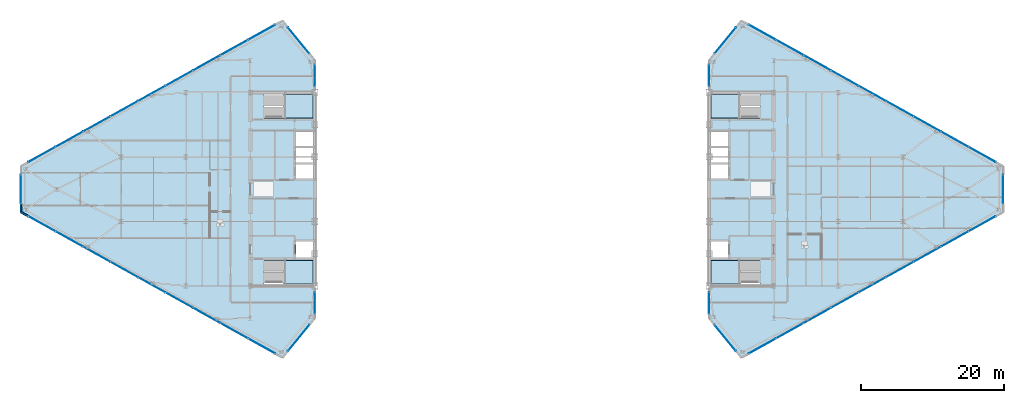
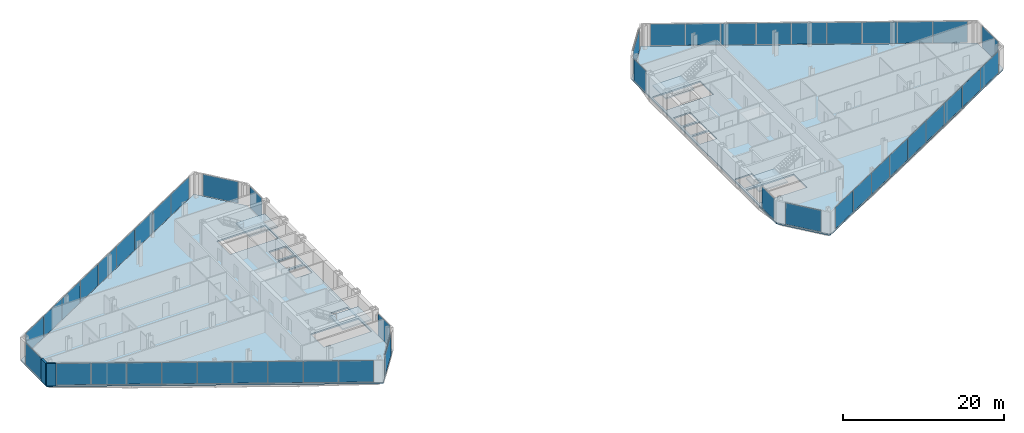
# One storey, part 18 of 25: 46 plates, 6 slabs, 2 walls, 18 elements without a shape of their own.
"""IFC4 building model written with IfcOpenShell, lengths in metres."""

from ifc_helpers import new_model, si_unit, direction, frame, frame_2d, origin, origin_2d, place, context, subcontext, project, spatial, polyline, rectangle, outline, extrude, source, transform, mapped, material, layer, layer_set, type_object, type_shapes, element, aggregate, save


model = new_model("IFC4")

# Units and contexts
model_context = context("Model", 3, precision=1e-05, world=origin(), true_north=direction((0.0, 1.0)))
body_context = subcontext(model_context, "Body", "Model", "MODEL_VIEW")
ifc_project = project(units=[si_unit("LENGTHUNIT", "METRE"), si_unit("AREAUNIT", "SQUARE_METRE"), si_unit("VOLUMEUNIT", "CUBIC_METRE"), si_unit("PLANEANGLEUNIT", "RADIAN"), si_unit("MASSUNIT", "GRAM", prefix="KILO")], contexts=[model_context])

# Site, building, storey
site_placement = place(None, origin())
site = spatial("IfcSite", under=ifc_project, at=site_placement, CompositionType="ELEMENT")
building_placement = place(site_placement, origin())
building = spatial("IfcBuilding", under=site, at=building_placement, Name="Seokmaru Belvedere", CompositionType="ELEMENT")
storey_placement = place(building_placement, frame((0.0, 0.0, 185.10009765625)))
storey = spatial("IfcBuildingStorey", under=building, at=storey_placement, Name="L49", CompositionType="ELEMENT", Elevation=185.10009765625)

# Stair, slab
ifc_material_1 = material(Name="Concrete C40 (40 MPa)", Category="concrete")
stair_type = type_object("IfcStairType", Name="Typical Tower Core Dog-Leg Stair 3600", PredefinedType="TWO_STRAIGHT_RUN_STAIR", material=ifc_material_1)
stair_1_placement = place(storey_placement, origin())
stair_1 = element("IfcStair", 1, at=stair_1_placement, inside=storey, type_object=stair_type, Name="L49 Special Escape Stair ST-W1", PredefinedType="TWO_STRAIGHT_RUN_STAIR")
ifc_layer_1 = layer(ifc_material_1, 0.199951171875)
ifc_layer_set_1 = layer_set([ifc_layer_1], Name="Concrete C40 (40 MPa)")
slab_type_1 = type_object("IfcSlabType", Name="Reinforced Concrete Stair Landing Slab 200", PredefinedType="LANDING", material=ifc_layer_set_1)
slab_1_placement = place(storey_placement, frame((0.0, 0.0, 1.599853515625)))
slab_1 = element("IfcSlab", 2, at=slab_1_placement, type_object=slab_type_1, Name="ST-W1 landing 1", PredefinedType="LANDING", context=body_context, shape_type="SweptSolid", body=[
    extrude(outline(polyline([(-31.8798828125, -13.239990234375), (-27.760009765625, -13.239990234375), (-27.760009765625, -9.949951171875), (-31.8798828125, -9.949951171875), (-31.8798828125, -13.239990234375)])), origin(), (0.0, 0.0, 1.0), 0.199951171875),
])
aggregate(stair_1, [slab_1])

stair_2_placement = place(storey_placement, origin())
stair_2 = element("IfcStair", 3, at=stair_2_placement, inside=storey, type_object=stair_type, Name="L49 Special Escape Stair ST-W2", PredefinedType="TWO_STRAIGHT_RUN_STAIR")
slab_2_placement = place(storey_placement, frame((0.0, 0.0, 1.599853515625)))
slab_2 = element("IfcSlab", 4, at=slab_2_placement, type_object=slab_type_1, Name="ST-W2 landing 1", PredefinedType="LANDING", context=body_context, shape_type="SweptSolid", body=[
    extrude(outline(polyline([(-31.8798828125, 9.949951171875), (-27.760009765625, 9.949951171875), (-27.760009765625, 13.239990234375), (-31.8798828125, 13.239990234375), (-31.8798828125, 9.949951171875)])), origin(), (0.0, 0.0, 1.0), 0.199951171875),
])
aggregate(stair_2, [slab_2])

stair_3_placement = place(storey_placement, origin())
stair_3 = element("IfcStair", 5, at=stair_3_placement, inside=storey, type_object=stair_type, Name="L49 Special Escape Stair ST-E1", PredefinedType="TWO_STRAIGHT_RUN_STAIR")
slab_3_placement = place(storey_placement, frame((0.0, 0.0, 1.599853515625)))
slab_3 = element("IfcSlab", 6, at=slab_3_placement, type_object=slab_type_1, Name="ST-E1 landing 1", PredefinedType="LANDING", context=body_context, shape_type="SweptSolid", body=[
    extrude(outline(polyline([(27.760009765625, -13.239990234375), (31.8798828125, -13.239990234375), (31.8798828125, -9.949951171875), (27.760009765625, -9.949951171875), (27.760009765625, -13.239990234375)])), origin(), (0.0, 0.0, 1.0), 0.199951171875),
])
aggregate(stair_3, [slab_3])

stair_4_placement = place(storey_placement, origin())
stair_4 = element("IfcStair", 7, at=stair_4_placement, inside=storey, type_object=stair_type, Name="L49 Special Escape Stair ST-E2", PredefinedType="TWO_STRAIGHT_RUN_STAIR")
slab_4_placement = place(storey_placement, frame((0.0, 0.0, 1.599853515625)))
slab_4 = element("IfcSlab", 8, at=slab_4_placement, type_object=slab_type_1, Name="ST-E2 landing 1", PredefinedType="LANDING", context=body_context, shape_type="SweptSolid", body=[
    extrude(outline(polyline([(27.760009765625, 9.949951171875), (31.8798828125, 9.949951171875), (31.8798828125, 13.239990234375), (27.760009765625, 13.239990234375), (27.760009765625, 9.949951171875)])), origin(), (0.0, 0.0, 1.0), 0.199951171875),
])
aggregate(stair_4, [slab_4])

# Slabs
ifc_layer_2 = layer(ifc_material_1, 0.219970703125)
ifc_layer_set_2 = layer_set([ifc_layer_2], Name="Concrete C40 (40 MPa)")
slab_type_2 = type_object("IfcSlabType", Name="Typical Tower Composite Floor Slab 220", PredefinedType="FLOOR", material=ifc_layer_set_2)
slab_5_placement = place(storey_placement, frame((0.0, 0.0, -0.22021484375)))
element("IfcSlab", 9, at=slab_5_placement, inside=storey, type_object=slab_type_2, Name="L49 West Leg Floor Slab", PredefinedType="FLOOR", context=body_context, shape_type="SweptSolid", body=[
    extrude(outline(polyline([(-27.5, -18.0), (-27.5, 18.0), (-32.0, 23.5), (-68.5, 3.199951171875), (-68.5, -3.199951171875), (-32.0, -23.5), (-27.5, -18.0)]), holes=[polyline([(-34.60009765625, -13.25), (-27.75, -13.25), (-27.75, -9.949951171875), (-34.60009765625, -9.949951171875), (-34.60009765625, -13.25)]), polyline([(-34.60009765625, 9.949951171875), (-27.75, 9.949951171875), (-27.75, 13.25), (-34.60009765625, 13.25), (-34.60009765625, 9.949951171875)]), polyline([(-30.14990234375, -9.550048828125), (-27.75, -9.550048828125), (-27.75, -7.25), (-30.14990234375, -7.25), (-30.14990234375, -9.550048828125)]), polyline([(-30.14990234375, 1.449951171875), (-27.75, 1.449951171875), (-27.75, 3.449951171875), (-30.14990234375, 3.449951171875), (-30.14990234375, 1.449951171875)]), polyline([(-30.14990234375, 3.75), (-27.75, 3.75), (-27.75, 5.75), (-30.14990234375, 5.75), (-30.14990234375, 3.75)]), polyline([(-30.14990234375, 6.050048828125), (-27.75, 6.050048828125), (-27.75, 8.050048828125), (-30.14990234375, 8.050048828125), (-30.14990234375, 6.050048828125)])]), origin(), (0.0, 0.0, 1.0), 0.22021484375),
])
slab_6_placement = place(storey_placement, frame((0.0, 0.0, -0.22021484375)))
element("IfcSlab", 10, at=slab_6_placement, inside=storey, type_object=slab_type_2, Name="L49 East Leg Floor Slab", PredefinedType="FLOOR", context=body_context, shape_type="SweptSolid", body=[
    extrude(outline(polyline([(32.0, -23.5), (68.5, -3.199951171875), (68.5, 3.199951171875), (32.0, 23.5), (27.5, 18.0), (27.5, -18.0), (32.0, -23.5)]), holes=[polyline([(27.75, -13.25), (34.60009765625, -13.25), (34.60009765625, -9.949951171875), (27.75, -9.949951171875), (27.75, -13.25)]), polyline([(27.75, 9.949951171875), (34.60009765625, 9.949951171875), (34.60009765625, 13.25), (27.75, 13.25), (27.75, 9.949951171875)]), polyline([(27.75, -9.550048828125), (30.14990234375, -9.550048828125), (30.14990234375, -7.25), (27.75, -7.25), (27.75, -9.550048828125)]), polyline([(27.75, 1.449951171875), (30.14990234375, 1.449951171875), (30.14990234375, 3.449951171875), (27.75, 3.449951171875), (27.75, 1.449951171875)]), polyline([(27.75, 3.75), (30.14990234375, 3.75), (30.14990234375, 5.75), (27.75, 5.75), (27.75, 3.75)]), polyline([(27.75, 6.050048828125), (30.14990234375, 6.050048828125), (30.14990234375, 8.050048828125), (27.75, 8.050048828125), (27.75, 6.050048828125)])]), origin(), (0.0, 0.0, 1.0), 0.22021484375),
])

# Curtain wall, plate
ifc_material_2 = material(Name="Bronze Triple Insulating Glass", Category="glass")
ifc_layer_3 = layer(ifc_material_2, 0.179931640625)
ifc_layer_set_3 = layer_set([ifc_layer_3], Name="Bronze Triple Insulating Glass")
curtain_wall_type = type_object("IfcCurtainWallType", Name="High-Rise Wind-Corner Curtain Wall System CW-5", PredefinedType="NOTDEFINED", material=ifc_layer_set_3)
curtain_wall_1_placement = place(storey_placement, origin())
curtain_wall_1 = element("IfcCurtainWall", 11, at=curtain_wall_1_placement, inside=storey, type_object=curtain_wall_type, Name="L49 Curtain Wall WSP_1", PredefinedType="NOTDEFINED")
ifc_layer_4 = layer(ifc_material_2, 0.035888671875)
ifc_layer_set_4 = layer_set([ifc_layer_4], Name="Bronze Triple Insulating Glass")
plate_type = type_object("IfcPlateType", Name="Bronze Triple Vision Glazing Panel 36", PredefinedType="CURTAIN_PANEL", material=ifc_layer_set_4)
shared_shape_1 = source(origin(), body_context, "Body", "SweptSolid", [
    extrude(rectangle(XDim=2.969970703125, YDim=0.035888671875, at=origin_2d()), origin(), (0.0, 0.0, 1.0), 3.25),
])
plate_1_placement = place(storey_placement, frame((-27.5, -15.8798828125, 0.06494140625), z_axis=(0.0, 0.0, 1.0), x_axis=(0.0, 1.0, 0.0)))
plate_1 = element("IfcPlate", 12, at=plate_1_placement, type_object=plate_type, Name="CW:L49:WSP_1 Glazing Panel 1-1", PredefinedType="CURTAIN_PANEL", context=body_context, shape_type="MappedRepresentation", body=[
    mapped(shared_shape_1, transform((0.0, 0.0, 0.0), scale=1.0)),
])
aggregate(curtain_wall_1, [plate_1])

curtain_wall_2_placement = place(storey_placement, origin())
curtain_wall_2 = element("IfcCurtainWall", 13, at=curtain_wall_2_placement, inside=storey, type_object=curtain_wall_type, Name="L49 Curtain Wall WSP_2", PredefinedType="NOTDEFINED")
plate_2_placement = place(storey_placement, frame((-27.5, 15.8798828125, 0.06494140625), z_axis=(0.0, 0.0, 1.0), x_axis=(0.0, 1.0, 0.0)))
plate_2 = element("IfcPlate", 14, at=plate_2_placement, type_object=plate_type, Name="CW:L49:WSP_2 Glazing Panel 1-1", PredefinedType="CURTAIN_PANEL", context=body_context, shape_type="MappedRepresentation", body=[
    mapped(shared_shape_1, transform((0.0, 0.0, 0.0), scale=1.0)),
])
aggregate(curtain_wall_2, [plate_2])

curtain_wall_3_placement = place(storey_placement, origin())
curtain_wall_3 = element("IfcCurtainWall", 15, at=curtain_wall_3_placement, inside=storey, type_object=curtain_wall_type, Name="L49 Curtain Wall ESP_1", PredefinedType="NOTDEFINED")
plate_3_placement = place(storey_placement, frame((27.5, -15.8798828125, 0.06494140625), z_axis=(0.0, 0.0, 1.0), x_axis=(0.0, -1.0, 0.0)))
plate_3 = element("IfcPlate", 16, at=plate_3_placement, type_object=plate_type, Name="CW:L49:ESP_1 Glazing Panel 1-1", PredefinedType="CURTAIN_PANEL", context=body_context, shape_type="MappedRepresentation", body=[
    mapped(shared_shape_1, transform((0.0, 0.0, 0.0), scale=1.0)),
])
aggregate(curtain_wall_3, [plate_3])

curtain_wall_4_placement = place(storey_placement, origin())
curtain_wall_4 = element("IfcCurtainWall", 17, at=curtain_wall_4_placement, inside=storey, type_object=curtain_wall_type, Name="L49 Curtain Wall ESP_2", PredefinedType="NOTDEFINED")
plate_4_placement = place(storey_placement, frame((27.5, 15.8798828125, 0.06494140625), z_axis=(0.0, 0.0, 1.0), x_axis=(0.0, -1.0, 0.0)))
plate_4 = element("IfcPlate", 18, at=plate_4_placement, type_object=plate_type, Name="CW:L49:ESP_2 Glazing Panel 1-1", PredefinedType="CURTAIN_PANEL", context=body_context, shape_type="MappedRepresentation", body=[
    mapped(shared_shape_1, transform((0.0, 0.0, 0.0), scale=1.0)),
])
aggregate(curtain_wall_4, [plate_4])

curtain_wall_5_placement = place(storey_placement, origin())
curtain_wall_5 = element("IfcCurtainWall", 19, at=curtain_wall_5_placement, inside=storey, type_object=curtain_wall_type, Name="L49 Curtain Wall WF2", PredefinedType="NOTDEFINED")
shared_shape_2 = source(origin(), body_context, "Body", "SweptSolid", [
    extrude(rectangle(XDim=4.67626953125, YDim=0.035888671875, at=origin_2d()), origin(), (0.0, 0.0, 1.0), 3.25),
])
plate_5_placement = place(storey_placement, frame((-29.75, 20.75, 0.06494140625), z_axis=(0.0, 0.0, 1.0), x_axis=(-0.633253907144, 0.773944112379, 0.0)))
plate_5 = element("IfcPlate", 20, at=plate_5_placement, type_object=plate_type, Name="CW:L49:WF2 Glazing Panel 1-1", PredefinedType="CURTAIN_PANEL", context=body_context, shape_type="MappedRepresentation", body=[
    mapped(shared_shape_2, transform((0.0, 0.0, 0.0), scale=1.0)),
])
aggregate(curtain_wall_5, [plate_5])

curtain_wall_6_placement = place(storey_placement, origin())
curtain_wall_6 = element("IfcCurtainWall", 21, at=curtain_wall_6_placement, inside=storey, type_object=curtain_wall_type, Name="L49 Curtain Wall WF6", PredefinedType="NOTDEFINED")
plate_6_placement = place(storey_placement, frame((-29.75, -20.75, 0.06494140625), z_axis=(0.0, 0.0, 1.0), x_axis=(0.633253907144, 0.773944112379, 0.0)))
plate_6 = element("IfcPlate", 22, at=plate_6_placement, type_object=plate_type, Name="CW:L49:WF6 Glazing Panel 1-1", PredefinedType="CURTAIN_PANEL", context=body_context, shape_type="MappedRepresentation", body=[
    mapped(shared_shape_2, transform((0.0, 0.0, 0.0), scale=1.0)),
])
aggregate(curtain_wall_6, [plate_6])

curtain_wall_7_placement = place(storey_placement, origin())
curtain_wall_7 = element("IfcCurtainWall", 23, at=curtain_wall_7_placement, inside=storey, type_object=curtain_wall_type, Name="L49 Curtain Wall EF4", PredefinedType="NOTDEFINED")
plate_7_placement = place(storey_placement, frame((29.75, 20.75, 0.06494140625), z_axis=(0.0, 0.0, 1.0), x_axis=(-0.633253907144, -0.773944112379, 0.0)))
plate_7 = element("IfcPlate", 24, at=plate_7_placement, type_object=plate_type, Name="CW:L49:EF4 Glazing Panel 1-1", PredefinedType="CURTAIN_PANEL", context=body_context, shape_type="MappedRepresentation", body=[
    mapped(shared_shape_2, transform((0.0, 0.0, 0.0), scale=1.0)),
])
aggregate(curtain_wall_7, [plate_7])

curtain_wall_8_placement = place(storey_placement, origin())
curtain_wall_8 = element("IfcCurtainWall", 25, at=curtain_wall_8_placement, inside=storey, type_object=curtain_wall_type, Name="L49 Curtain Wall EF6", PredefinedType="NOTDEFINED")
plate_8_placement = place(storey_placement, frame((29.75, -20.75, 0.06494140625), z_axis=(0.0, 0.0, 1.0), x_axis=(0.633253907144, -0.773944112379, 0.0)))
plate_8 = element("IfcPlate", 26, at=plate_8_placement, type_object=plate_type, Name="CW:L49:EF6 Glazing Panel 1-1", PredefinedType="CURTAIN_PANEL", context=body_context, shape_type="MappedRepresentation", body=[
    mapped(shared_shape_2, transform((0.0, 0.0, 0.0), scale=1.0)),
])
aggregate(curtain_wall_8, [plate_8])

# Curtain wall, plates
curtain_wall_9_placement = place(storey_placement, origin())
curtain_wall_9 = element("IfcCurtainWall", 27, at=curtain_wall_9_placement, inside=storey, type_object=curtain_wall_type, Name="L49 Curtain Wall WF3", PredefinedType="NOTDEFINED")
shared_shape_3 = source(origin(), body_context, "Body", "SweptSolid", [
    extrude(rectangle(XDim=4.28759765625, YDim=0.035888671875, at=origin_2d()), origin(), (0.0, 0.0, 1.0), 3.25),
])
plate_9_placement = place(storey_placement, frame((-34.935302734375, 21.867431640625, 0.06494140625), z_axis=(0.0, 0.0, 1.0), x_axis=(-0.873932601598, -0.486047125147, 0.0)))
plate_9 = element("IfcPlate", 28, at=plate_9_placement, type_object=plate_type, Name="CW:L49:WF3 Glazing Panel 1-1", PredefinedType="CURTAIN_PANEL", context=body_context, shape_type="MappedRepresentation", body=[
    mapped(shared_shape_3, transform((0.0, 0.0, 0.0), scale=1.0)),
])
plate_10_placement = place(storey_placement, frame((-65.564697265625, 4.83251953125, 0.06494140625), z_axis=(0.0, 0.0, 1.0), x_axis=(-0.873932601598, -0.486047125147, 0.0)))
plate_10 = element("IfcPlate", 29, at=plate_10_placement, type_object=plate_type, Name="CW:L49:WF3 Glazing Panel 9-1", PredefinedType="CURTAIN_PANEL", context=body_context, shape_type="MappedRepresentation", body=[
    mapped(shared_shape_3, transform((0.0, 0.0, 0.0), scale=1.0)),
])

curtain_wall_10_placement = place(storey_placement, origin())
curtain_wall_10 = element("IfcCurtainWall", 30, at=curtain_wall_10_placement, inside=storey, type_object=curtain_wall_type, Name="L49 Curtain Wall WF5", PredefinedType="NOTDEFINED")
plate_11_placement = place(storey_placement, frame((-65.564697265625, -4.83251953125, 0.06494140625), z_axis=(0.0, 0.0, 1.0), x_axis=(0.873932601598, -0.486047125147, 0.0)))
plate_11 = element("IfcPlate", 31, at=plate_11_placement, type_object=plate_type, Name="CW:L49:WF5 Glazing Panel 1-1", PredefinedType="CURTAIN_PANEL", context=body_context, shape_type="MappedRepresentation", body=[
    mapped(shared_shape_3, transform((0.0, 0.0, 0.0), scale=1.0)),
])
plate_12_placement = place(storey_placement, frame((-34.935302734375, -21.867431640625, 0.06494140625), z_axis=(0.0, 0.0, 1.0), x_axis=(0.873932601598, -0.486047125147, 0.0)))
plate_12 = element("IfcPlate", 32, at=plate_12_placement, type_object=plate_type, Name="CW:L49:WF5 Glazing Panel 9-1", PredefinedType="CURTAIN_PANEL", context=body_context, shape_type="MappedRepresentation", body=[
    mapped(shared_shape_3, transform((0.0, 0.0, 0.0), scale=1.0)),
])

curtain_wall_11_placement = place(storey_placement, origin())
curtain_wall_11 = element("IfcCurtainWall", 33, at=curtain_wall_11_placement, inside=storey, type_object=curtain_wall_type, Name="L49 Curtain Wall EF1", PredefinedType="NOTDEFINED")
plate_13_placement = place(storey_placement, frame((34.935302734375, -21.867431640625, 0.06494140625), z_axis=(0.0, 0.0, 1.0), x_axis=(0.873932601598, 0.486047125147, 0.0)))
plate_13 = element("IfcPlate", 34, at=plate_13_placement, type_object=plate_type, Name="CW:L49:EF1 Glazing Panel 1-1", PredefinedType="CURTAIN_PANEL", context=body_context, shape_type="MappedRepresentation", body=[
    mapped(shared_shape_3, transform((0.0, 0.0, 0.0), scale=1.0)),
])
plate_14_placement = place(storey_placement, frame((65.564697265625, -4.83251953125, 0.06494140625), z_axis=(0.0, 0.0, 1.0), x_axis=(0.873932601598, 0.486047125147, 0.0)))
plate_14 = element("IfcPlate", 35, at=plate_14_placement, type_object=plate_type, Name="CW:L49:EF1 Glazing Panel 9-1", PredefinedType="CURTAIN_PANEL", context=body_context, shape_type="MappedRepresentation", body=[
    mapped(shared_shape_3, transform((0.0, 0.0, 0.0), scale=1.0)),
])

curtain_wall_12_placement = place(storey_placement, origin())
curtain_wall_12 = element("IfcCurtainWall", 36, at=curtain_wall_12_placement, inside=storey, type_object=curtain_wall_type, Name="L49 Curtain Wall EF3", PredefinedType="NOTDEFINED")
plate_15_placement = place(storey_placement, frame((65.564697265625, 4.83251953125, 0.06494140625), z_axis=(0.0, 0.0, 1.0), x_axis=(-0.873932601598, 0.486047125147, 0.0)))
plate_15 = element("IfcPlate", 37, at=plate_15_placement, type_object=plate_type, Name="CW:L49:EF3 Glazing Panel 1-1", PredefinedType="CURTAIN_PANEL", context=body_context, shape_type="MappedRepresentation", body=[
    mapped(shared_shape_3, transform((0.0, 0.0, 0.0), scale=1.0)),
])
plate_16_placement = place(storey_placement, frame((34.935302734375, 21.867431640625, 0.06494140625), z_axis=(0.0, 0.0, 1.0), x_axis=(-0.873932601598, 0.486047125147, 0.0)))
plate_16 = element("IfcPlate", 38, at=plate_16_placement, type_object=plate_type, Name="CW:L49:EF3 Glazing Panel 9-1", PredefinedType="CURTAIN_PANEL", context=body_context, shape_type="MappedRepresentation", body=[
    mapped(shared_shape_3, transform((0.0, 0.0, 0.0), scale=1.0)),
])

# Plate
shared_shape_4 = source(origin(), body_context, "Body", "SweptSolid", [
    extrude(rectangle(XDim=4.320068359375, YDim=0.035888671875, at=origin_2d()), origin(), (0.0, 0.0, 1.0), 3.25),
])
plate_17_placement = place(storey_placement, frame((-38.75341796875, 19.743896484375, 0.06494140625), z_axis=(0.0, 0.0, 1.0), x_axis=(-0.873932601598, -0.486047125147, 0.0)))
plate_17 = element("IfcPlate", 39, at=plate_17_placement, type_object=plate_type, Name="CW:L49:WF3 Glazing Panel 2-1", PredefinedType="CURTAIN_PANEL", context=body_context, shape_type="MappedRepresentation", body=[
    mapped(shared_shape_4, transform((0.0, 0.0, 0.0), scale=1.0)),
])

plate_18_placement = place(storey_placement, frame((-42.585693359375, 17.61279296875, 0.06494140625), z_axis=(0.0, 0.0, 1.0), x_axis=(-0.873932601598, -0.486047125147, 0.0)))
plate_18 = element("IfcPlate", 40, at=plate_18_placement, type_object=plate_type, Name="CW:L49:WF3 Glazing Panel 3-1", PredefinedType="CURTAIN_PANEL", context=body_context, shape_type="MappedRepresentation", body=[
    mapped(shared_shape_4, transform((0.0, 0.0, 0.0), scale=1.0)),
])

plate_19_placement = place(storey_placement, frame((-46.417724609375, 15.481201171875, 0.06494140625), z_axis=(0.0, 0.0, 1.0), x_axis=(-0.873932601598, -0.486047125147, 0.0)))
plate_19 = element("IfcPlate", 41, at=plate_19_placement, type_object=plate_type, Name="CW:L49:WF3 Glazing Panel 4-1", PredefinedType="CURTAIN_PANEL", context=body_context, shape_type="MappedRepresentation", body=[
    mapped(shared_shape_4, transform((0.0, 0.0, 0.0), scale=1.0)),
])

plate_20_placement = place(storey_placement, frame((-50.25, 13.35009765625, 0.06494140625), z_axis=(0.0, 0.0, 1.0), x_axis=(-0.873932601598, -0.486047125147, 0.0)))
plate_20 = element("IfcPlate", 42, at=plate_20_placement, type_object=plate_type, Name="CW:L49:WF3 Glazing Panel 5-1", PredefinedType="CURTAIN_PANEL", context=body_context, shape_type="MappedRepresentation", body=[
    mapped(shared_shape_4, transform((0.0, 0.0, 0.0), scale=1.0)),
])

plate_21_placement = place(storey_placement, frame((-54.082275390625, 11.21875, 0.06494140625), z_axis=(0.0, 0.0, 1.0), x_axis=(-0.873932601598, -0.486047125147, 0.0)))
plate_21 = element("IfcPlate", 43, at=plate_21_placement, type_object=plate_type, Name="CW:L49:WF3 Glazing Panel 6-1", PredefinedType="CURTAIN_PANEL", context=body_context, shape_type="MappedRepresentation", body=[
    mapped(shared_shape_4, transform((0.0, 0.0, 0.0), scale=1.0)),
])

plate_22_placement = place(storey_placement, frame((-57.914306640625, 9.08740234375, 0.06494140625), z_axis=(0.0, 0.0, 1.0), x_axis=(-0.873932601598, -0.486047125147, 0.0)))
plate_22 = element("IfcPlate", 44, at=plate_22_placement, type_object=plate_type, Name="CW:L49:WF3 Glazing Panel 7-1", PredefinedType="CURTAIN_PANEL", context=body_context, shape_type="MappedRepresentation", body=[
    mapped(shared_shape_4, transform((0.0, 0.0, 0.0), scale=1.0)),
])

plate_23_placement = place(storey_placement, frame((-61.74658203125, 6.9560546875, 0.06494140625), z_axis=(0.0, 0.0, 1.0), x_axis=(-0.873932601598, -0.486047125147, 0.0)))
plate_23 = element("IfcPlate", 45, at=plate_23_placement, type_object=plate_type, Name="CW:L49:WF3 Glazing Panel 8-1", PredefinedType="CURTAIN_PANEL", context=body_context, shape_type="MappedRepresentation", body=[
    mapped(shared_shape_4, transform((0.0, 0.0, 0.0), scale=1.0)),
])

aggregate(curtain_wall_9, [plate_9, plate_17, plate_18, plate_19, plate_20, plate_21, plate_22, plate_23, plate_10])

plate_24_placement = place(storey_placement, frame((-61.74658203125, -6.9560546875, 0.06494140625), z_axis=(0.0, 0.0, 1.0), x_axis=(0.873932601598, -0.486047125147, 0.0)))
plate_24 = element("IfcPlate", 46, at=plate_24_placement, type_object=plate_type, Name="CW:L49:WF5 Glazing Panel 2-1", PredefinedType="CURTAIN_PANEL", context=body_context, shape_type="MappedRepresentation", body=[
    mapped(shared_shape_4, transform((0.0, 0.0, 0.0), scale=1.0)),
])

plate_25_placement = place(storey_placement, frame((-57.914306640625, -9.08740234375, 0.06494140625), z_axis=(0.0, 0.0, 1.0), x_axis=(0.873932601598, -0.486047125147, 0.0)))
plate_25 = element("IfcPlate", 47, at=plate_25_placement, type_object=plate_type, Name="CW:L49:WF5 Glazing Panel 3-1", PredefinedType="CURTAIN_PANEL", context=body_context, shape_type="MappedRepresentation", body=[
    mapped(shared_shape_4, transform((0.0, 0.0, 0.0), scale=1.0)),
])

plate_26_placement = place(storey_placement, frame((-54.082275390625, -11.21875, 0.06494140625), z_axis=(0.0, 0.0, 1.0), x_axis=(0.873932601598, -0.486047125147, 0.0)))
plate_26 = element("IfcPlate", 48, at=plate_26_placement, type_object=plate_type, Name="CW:L49:WF5 Glazing Panel 4-1", PredefinedType="CURTAIN_PANEL", context=body_context, shape_type="MappedRepresentation", body=[
    mapped(shared_shape_4, transform((0.0, 0.0, 0.0), scale=1.0)),
])

plate_27_placement = place(storey_placement, frame((-50.25, -13.35009765625, 0.06494140625), z_axis=(0.0, 0.0, 1.0), x_axis=(0.873932601598, -0.486047125147, 0.0)))
plate_27 = element("IfcPlate", 49, at=plate_27_placement, type_object=plate_type, Name="CW:L49:WF5 Glazing Panel 5-1", PredefinedType="CURTAIN_PANEL", context=body_context, shape_type="MappedRepresentation", body=[
    mapped(shared_shape_4, transform((0.0, 0.0, 0.0), scale=1.0)),
])

plate_28_placement = place(storey_placement, frame((-46.417724609375, -15.481201171875, 0.06494140625), z_axis=(0.0, 0.0, 1.0), x_axis=(0.873932601598, -0.486047125147, 0.0)))
plate_28 = element("IfcPlate", 50, at=plate_28_placement, type_object=plate_type, Name="CW:L49:WF5 Glazing Panel 6-1", PredefinedType="CURTAIN_PANEL", context=body_context, shape_type="MappedRepresentation", body=[
    mapped(shared_shape_4, transform((0.0, 0.0, 0.0), scale=1.0)),
])

plate_29_placement = place(storey_placement, frame((-42.585693359375, -17.61279296875, 0.06494140625), z_axis=(0.0, 0.0, 1.0), x_axis=(0.873932601598, -0.486047125147, 0.0)))
plate_29 = element("IfcPlate", 51, at=plate_29_placement, type_object=plate_type, Name="CW:L49:WF5 Glazing Panel 7-1", PredefinedType="CURTAIN_PANEL", context=body_context, shape_type="MappedRepresentation", body=[
    mapped(shared_shape_4, transform((0.0, 0.0, 0.0), scale=1.0)),
])

plate_30_placement = place(storey_placement, frame((-38.75341796875, -19.743896484375, 0.06494140625), z_axis=(0.0, 0.0, 1.0), x_axis=(0.873932601598, -0.486047125147, 0.0)))
plate_30 = element("IfcPlate", 52, at=plate_30_placement, type_object=plate_type, Name="CW:L49:WF5 Glazing Panel 8-1", PredefinedType="CURTAIN_PANEL", context=body_context, shape_type="MappedRepresentation", body=[
    mapped(shared_shape_4, transform((0.0, 0.0, 0.0), scale=1.0)),
])

aggregate(curtain_wall_10, [plate_11, plate_24, plate_25, plate_26, plate_27, plate_28, plate_29, plate_30, plate_12])

plate_31_placement = place(storey_placement, frame((38.75341796875, -19.743896484375, 0.06494140625), z_axis=(0.0, 0.0, 1.0), x_axis=(0.873932601598, 0.486047125147, 0.0)))
plate_31 = element("IfcPlate", 53, at=plate_31_placement, type_object=plate_type, Name="CW:L49:EF1 Glazing Panel 2-1", PredefinedType="CURTAIN_PANEL", context=body_context, shape_type="MappedRepresentation", body=[
    mapped(shared_shape_4, transform((0.0, 0.0, 0.0), scale=1.0)),
])

plate_32_placement = place(storey_placement, frame((42.585693359375, -17.61279296875, 0.06494140625), z_axis=(0.0, 0.0, 1.0), x_axis=(0.873932601598, 0.486047125147, 0.0)))
plate_32 = element("IfcPlate", 54, at=plate_32_placement, type_object=plate_type, Name="CW:L49:EF1 Glazing Panel 3-1", PredefinedType="CURTAIN_PANEL", context=body_context, shape_type="MappedRepresentation", body=[
    mapped(shared_shape_4, transform((0.0, 0.0, 0.0), scale=1.0)),
])

plate_33_placement = place(storey_placement, frame((46.417724609375, -15.481201171875, 0.06494140625), z_axis=(0.0, 0.0, 1.0), x_axis=(0.873932601598, 0.486047125147, 0.0)))
plate_33 = element("IfcPlate", 55, at=plate_33_placement, type_object=plate_type, Name="CW:L49:EF1 Glazing Panel 4-1", PredefinedType="CURTAIN_PANEL", context=body_context, shape_type="MappedRepresentation", body=[
    mapped(shared_shape_4, transform((0.0, 0.0, 0.0), scale=1.0)),
])

plate_34_placement = place(storey_placement, frame((50.25, -13.35009765625, 0.06494140625), z_axis=(0.0, 0.0, 1.0), x_axis=(0.873932601598, 0.486047125147, 0.0)))
plate_34 = element("IfcPlate", 56, at=plate_34_placement, type_object=plate_type, Name="CW:L49:EF1 Glazing Panel 5-1", PredefinedType="CURTAIN_PANEL", context=body_context, shape_type="MappedRepresentation", body=[
    mapped(shared_shape_4, transform((0.0, 0.0, 0.0), scale=1.0)),
])

plate_35_placement = place(storey_placement, frame((54.082275390625, -11.21875, 0.06494140625), z_axis=(0.0, 0.0, 1.0), x_axis=(0.873932601598, 0.486047125147, 0.0)))
plate_35 = element("IfcPlate", 57, at=plate_35_placement, type_object=plate_type, Name="CW:L49:EF1 Glazing Panel 6-1", PredefinedType="CURTAIN_PANEL", context=body_context, shape_type="MappedRepresentation", body=[
    mapped(shared_shape_4, transform((0.0, 0.0, 0.0), scale=1.0)),
])

plate_36_placement = place(storey_placement, frame((57.914306640625, -9.08740234375, 0.06494140625), z_axis=(0.0, 0.0, 1.0), x_axis=(0.873932601598, 0.486047125147, 0.0)))
plate_36 = element("IfcPlate", 58, at=plate_36_placement, type_object=plate_type, Name="CW:L49:EF1 Glazing Panel 7-1", PredefinedType="CURTAIN_PANEL", context=body_context, shape_type="MappedRepresentation", body=[
    mapped(shared_shape_4, transform((0.0, 0.0, 0.0), scale=1.0)),
])

plate_37_placement = place(storey_placement, frame((61.74658203125, -6.9560546875, 0.06494140625), z_axis=(0.0, 0.0, 1.0), x_axis=(0.873932601598, 0.486047125147, 0.0)))
plate_37 = element("IfcPlate", 59, at=plate_37_placement, type_object=plate_type, Name="CW:L49:EF1 Glazing Panel 8-1", PredefinedType="CURTAIN_PANEL", context=body_context, shape_type="MappedRepresentation", body=[
    mapped(shared_shape_4, transform((0.0, 0.0, 0.0), scale=1.0)),
])

aggregate(curtain_wall_11, [plate_13, plate_31, plate_32, plate_33, plate_34, plate_35, plate_36, plate_37, plate_14])

plate_38_placement = place(storey_placement, frame((61.74658203125, 6.9560546875, 0.06494140625), z_axis=(0.0, 0.0, 1.0), x_axis=(-0.873932601598, 0.486047125147, 0.0)))
plate_38 = element("IfcPlate", 60, at=plate_38_placement, type_object=plate_type, Name="CW:L49:EF3 Glazing Panel 2-1", PredefinedType="CURTAIN_PANEL", context=body_context, shape_type="MappedRepresentation", body=[
    mapped(shared_shape_4, transform((0.0, 0.0, 0.0), scale=1.0)),
])

plate_39_placement = place(storey_placement, frame((57.914306640625, 9.08740234375, 0.06494140625), z_axis=(0.0, 0.0, 1.0), x_axis=(-0.873932601598, 0.486047125147, 0.0)))
plate_39 = element("IfcPlate", 61, at=plate_39_placement, type_object=plate_type, Name="CW:L49:EF3 Glazing Panel 3-1", PredefinedType="CURTAIN_PANEL", context=body_context, shape_type="MappedRepresentation", body=[
    mapped(shared_shape_4, transform((0.0, 0.0, 0.0), scale=1.0)),
])

plate_40_placement = place(storey_placement, frame((54.082275390625, 11.21875, 0.06494140625), z_axis=(0.0, 0.0, 1.0), x_axis=(-0.873932601598, 0.486047125147, 0.0)))
plate_40 = element("IfcPlate", 62, at=plate_40_placement, type_object=plate_type, Name="CW:L49:EF3 Glazing Panel 4-1", PredefinedType="CURTAIN_PANEL", context=body_context, shape_type="MappedRepresentation", body=[
    mapped(shared_shape_4, transform((0.0, 0.0, 0.0), scale=1.0)),
])

plate_41_placement = place(storey_placement, frame((50.25, 13.35009765625, 0.06494140625), z_axis=(0.0, 0.0, 1.0), x_axis=(-0.873932601598, 0.486047125147, 0.0)))
plate_41 = element("IfcPlate", 63, at=plate_41_placement, type_object=plate_type, Name="CW:L49:EF3 Glazing Panel 5-1", PredefinedType="CURTAIN_PANEL", context=body_context, shape_type="MappedRepresentation", body=[
    mapped(shared_shape_4, transform((0.0, 0.0, 0.0), scale=1.0)),
])

plate_42_placement = place(storey_placement, frame((46.417724609375, 15.481201171875, 0.06494140625), z_axis=(0.0, 0.0, 1.0), x_axis=(-0.873932601598, 0.486047125147, 0.0)))
plate_42 = element("IfcPlate", 64, at=plate_42_placement, type_object=plate_type, Name="CW:L49:EF3 Glazing Panel 6-1", PredefinedType="CURTAIN_PANEL", context=body_context, shape_type="MappedRepresentation", body=[
    mapped(shared_shape_4, transform((0.0, 0.0, 0.0), scale=1.0)),
])

plate_43_placement = place(storey_placement, frame((42.585693359375, 17.61279296875, 0.06494140625), z_axis=(0.0, 0.0, 1.0), x_axis=(-0.873932601598, 0.486047125147, 0.0)))
plate_43 = element("IfcPlate", 65, at=plate_43_placement, type_object=plate_type, Name="CW:L49:EF3 Glazing Panel 7-1", PredefinedType="CURTAIN_PANEL", context=body_context, shape_type="MappedRepresentation", body=[
    mapped(shared_shape_4, transform((0.0, 0.0, 0.0), scale=1.0)),
])

plate_44_placement = place(storey_placement, frame((38.75341796875, 19.743896484375, 0.06494140625), z_axis=(0.0, 0.0, 1.0), x_axis=(-0.873932601598, 0.486047125147, 0.0)))
plate_44 = element("IfcPlate", 66, at=plate_44_placement, type_object=plate_type, Name="CW:L49:EF3 Glazing Panel 8-1", PredefinedType="CURTAIN_PANEL", context=body_context, shape_type="MappedRepresentation", body=[
    mapped(shared_shape_4, transform((0.0, 0.0, 0.0), scale=1.0)),
])

aggregate(curtain_wall_12, [plate_15, plate_38, plate_39, plate_40, plate_41, plate_42, plate_43, plate_44, plate_16])

# Curtain wall, plate
curtain_wall_13_placement = place(storey_placement, origin())
curtain_wall_13 = element("IfcCurtainWall", 67, at=curtain_wall_13_placement, inside=storey, type_object=curtain_wall_type, Name="L49 Curtain Wall WF4", PredefinedType="NOTDEFINED")
shared_shape_5 = source(origin(), body_context, "Body", "SweptSolid", [
    extrude(rectangle(XDim=3.969970703125, YDim=0.035888671875, at=origin_2d()), origin(), (0.0, 0.0, 1.0), 3.25),
])
type_shapes(plate_type, [shared_shape_1, shared_shape_2, shared_shape_3, shared_shape_4, shared_shape_5])
plate_45_placement = place(storey_placement, frame((-68.5, 0.0, 0.06494140625), z_axis=(0.0, 0.0, 1.0), x_axis=(0.0, -1.0, 0.0)))
plate_45 = element("IfcPlate", 68, at=plate_45_placement, type_object=plate_type, Name="CW:L49:WF4 Glazing Panel 1-1", PredefinedType="CURTAIN_PANEL", context=body_context, shape_type="MappedRepresentation", body=[
    mapped(shared_shape_5, transform((0.0, 0.0, 0.0), scale=1.0)),
])
aggregate(curtain_wall_13, [plate_45])

curtain_wall_14_placement = place(storey_placement, origin())
curtain_wall_14 = element("IfcCurtainWall", 69, at=curtain_wall_14_placement, inside=storey, type_object=curtain_wall_type, Name="L49 Curtain Wall EF2", PredefinedType="NOTDEFINED")
plate_46_placement = place(storey_placement, frame((68.5, 0.0, 0.06494140625), z_axis=(0.0, 0.0, 1.0), x_axis=(0.0, 1.0, 0.0)))
plate_46 = element("IfcPlate", 70, at=plate_46_placement, type_object=plate_type, Name="CW:L49:EF2 Glazing Panel 1-1", PredefinedType="CURTAIN_PANEL", context=body_context, shape_type="MappedRepresentation", body=[
    mapped(shared_shape_5, transform((0.0, 0.0, 0.0), scale=1.0)),
])
aggregate(curtain_wall_14, [plate_46])

# Walls
ifc_material_3 = material(Name="Anodised Bronze Aluminium", Category="aluminium")
ifc_layer_5 = layer(ifc_material_3, 0.239990234375)
ifc_layer_set_5 = layer_set([ifc_layer_5], Name="Anodised Bronze Aluminium")
wall_type = type_object("IfcWallType", Name="Tower Corner Spandrel Closure Wall 240", PredefinedType="SOLIDWALL", material=ifc_layer_set_5)
for number, where, z_axis, x_axis, name in (
    (71, (-68.5, -2.050048828125, 0.0), (0.0, 0.0, 1.0), (0.0, -1.0, 0.0), "L49 W Corner Closure Pier 4B"),
    (72, (-68.4912109375, -3.204833984375, 0.0), (0.0, 0.0, 1.0), (0.87385402111, -0.486188389196, 0.0), "L49 W Corner Closure Pier 5A"),
):
    element("IfcWall", number, at=place(storey_placement, frame(where, z_axis=z_axis, x_axis=x_axis)), inside=storey, type_object=wall_type, Name=name, PredefinedType="SOLIDWALL", context=body_context, shape_type="SweptSolid", body=[
        extrude(rectangle(XDim=1.139892578125, YDim=0.239990234375, at=frame_2d((0.56982421875, 0.0))), origin(), (0.0, 0.0, 1.0), 3.3798828125),
    ])

save(model, "model.ifc")
